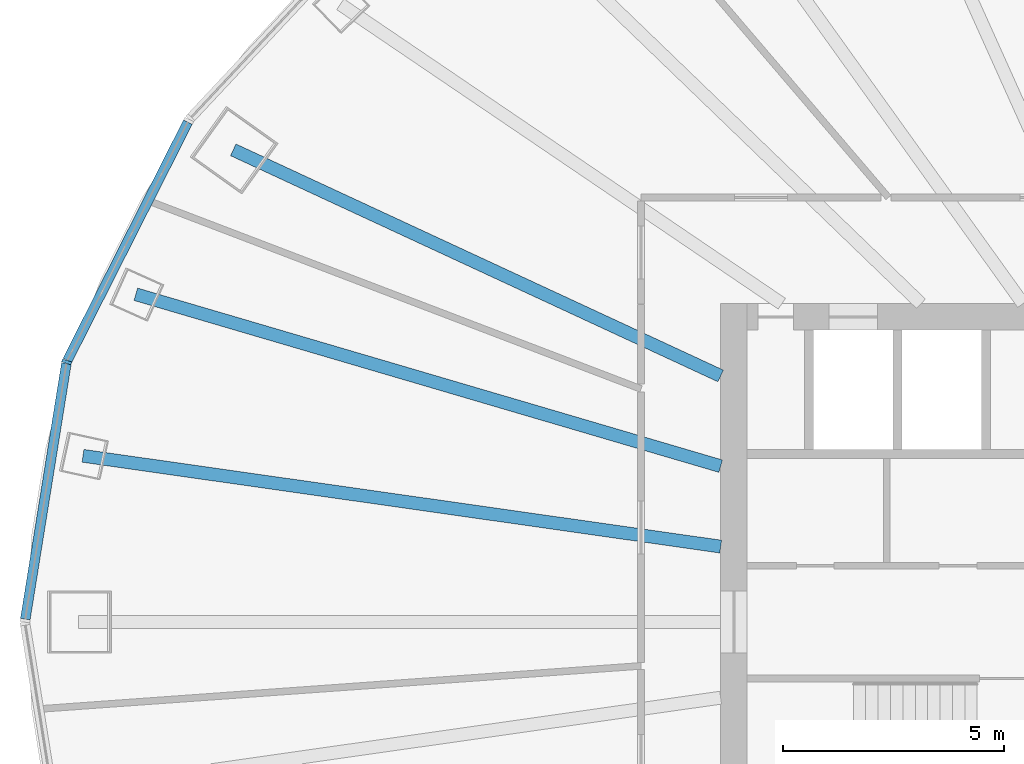
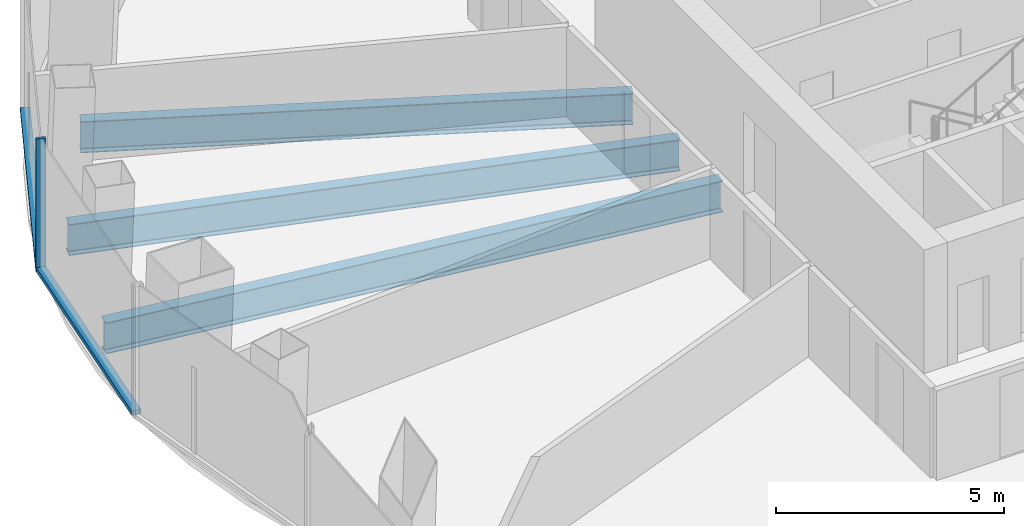
# One storey, part 3 of 11: 3 beams, 3 members, 1 element without a shape of its own.
"""IFC4 building model written with IfcOpenShell, lengths in metres."""

import ifcopenshell
import ifcopenshell.guid

model = None  # the IFC model being written
_history = None  # IfcOwnerHistory: only IFC2X3 demands one
_inside = {}  # id of a spatial element -> (the spatial element, [elements in it])
_under = {}  # id of a project, library or spatial element -> (it, [spatial elements below it])
_declared = {}  # id of a project -> (the project, [libraries it declares])
_typed = {}  # id of a type object -> (the type object, [elements of that type])
_made_of = {}  # id of a material, layer set ... -> (it, [elements and type objects made of it])


def new_model(schema):
    """Start an empty IFC model of exactly this schema.

    Asked for "IFC4X3", IfcOpenShell would pick the latest addendum, in which some entities
    have other attributes; the version numbers below select the first issue.
    IFC2X3 requires an IfcOwnerHistory on every rooted entity: one is made here for all.
    """
    global model, _history
    if schema == "IFC4X3":
        model = ifcopenshell.file(schema_version=(4, 3, 0, 0))
    else:
        model = ifcopenshell.file(schema=schema)
    _inside.clear()
    _under.clear()
    _declared.clear()
    _typed.clear()
    _made_of.clear()
    _history = None
    if model.schema == "IFC2X3":
        org = make("IfcOrganization", Name="unknown")
        user = make(
            "IfcPersonAndOrganization",
            ThePerson=make("IfcPerson", FamilyName="unknown"),
            TheOrganization=org,
        )
        app = make(
            "IfcApplication",
            ApplicationDeveloper=org,
            Version="unknown",
            ApplicationFullName="unknown",
            ApplicationIdentifier="unknown",
        )
        _history = make(
            "IfcOwnerHistory",
            OwningUser=user,
            OwningApplication=app,
            ChangeAction="ADDED",
            CreationDate=0,
        )
    return model


def make(cls, **values):
    """One entity of the class cls with the attributes given. An attribute that is None is left unset."""
    return model.create_entity(
        cls, **{name: value for name, value in values.items() if value is not None}
    )


def rooted(cls, **values):
    """An entity with a GlobalId (a new one), such as an element, a storey or a relation."""
    return make(cls, GlobalId=ifcopenshell.guid.new(), OwnerHistory=_history, **values)


def si_unit(unit_type, name, prefix=None):
    """IfcSIUnit, for example si_unit("LENGTHUNIT", "METRE", prefix="MILLI")."""
    return make("IfcSIUnit", UnitType=unit_type, Prefix=prefix, Name=name)


def assignment(units):
    """IfcUnitAssignment: the units of a project."""
    return None if units is None else make("IfcUnitAssignment", Units=units)


def point(xyz):
    """IfcCartesianPoint."""
    return None if xyz is None else make("IfcCartesianPoint", Coordinates=xyz)


def direction(xyz):
    """IfcDirection."""
    return None if xyz is None else make("IfcDirection", DirectionRatios=xyz)


def frame(location, z_axis=None, x_axis=None):
    """IfcAxis2Placement3D, a coordinate frame: its origin and axes. An axis left out is left unset."""
    return make(
        "IfcAxis2Placement3D",
        Location=point(location),
        Axis=direction(z_axis),
        RefDirection=direction(x_axis),
    )


def frame_2d(location, x_axis=None):
    """IfcAxis2Placement2D, a coordinate frame in the plane: its origin and x axis."""
    return make(
        "IfcAxis2Placement2D", Location=point(location), RefDirection=direction(x_axis)
    )


def origin():
    """The frame at (0, 0, 0) with its axes left unset."""
    return frame((0.0, 0.0, 0.0))


def origin_2d():
    """The frame at (0, 0) in the plane with its x axis left unset."""
    return frame_2d((0.0, 0.0))


def place(relative_to, where):
    """IfcLocalPlacement: puts the frame where relative to a parent placement (None: the world)."""
    return make(
        "IfcLocalPlacement", PlacementRelTo=relative_to, RelativePlacement=where
    )


def context(
    kind, dimensions, precision=None, world=None, true_north=None, identifier=None
):
    """IfcGeometricRepresentationContext, for example the 3D "Model" context."""
    return make(
        "IfcGeometricRepresentationContext",
        ContextIdentifier=identifier,
        ContextType=kind,
        CoordinateSpaceDimension=dimensions,
        Precision=precision,
        WorldCoordinateSystem=world,
        TrueNorth=true_north,
    )


def subcontext(parent, identifier, kind, view, scale=None):
    """IfcGeometricRepresentationSubContext, for example "Body" below "Model"."""
    return make(
        "IfcGeometricRepresentationSubContext",
        ContextIdentifier=identifier,
        ContextType=kind,
        ParentContext=parent,
        TargetScale=scale,
        TargetView=view,
    )


def project(units=None, contexts=None):
    """IfcProject with its units and contexts."""
    return rooted(
        "IfcProject",
        Name="project",
        RepresentationContexts=contexts,
        UnitsInContext=assignment(units),
    )


def spatial(cls, under=None, at=None, **own):
    """A site, building, storey or space (cls), placed at a placement, below another one or the project."""
    s = rooted(cls, ObjectPlacement=at, **own)
    if under is not None:
        _under.setdefault(under.id(), (under, []))[1].append(s)
    return s


def profile(cls, at=None, kind="AREA", **sizes):
    """A parametric profile (cls). Its sizes go by their IFC names, for example OverallWidth=200.0."""
    return make(cls, ProfileType=kind, Position=at, **sizes)


def rectangle(**sizes):
    """IfcRectangleProfileDef."""
    return profile("IfcRectangleProfileDef", **sizes)


def i_section(**sizes):
    """IfcIShapeProfileDef."""
    return profile("IfcIShapeProfileDef", **sizes)


def extrude(swept, where, along, depth):
    """IfcExtrudedAreaSolid: the profile swept, set in the frame where, extruded along a direction by depth."""
    return make(
        "IfcExtrudedAreaSolid",
        SweptArea=swept,
        Position=where,
        ExtrudedDirection=direction(along),
        Depth=depth,
    )


def shape(context_of_items, identifier, shape_type, items):
    """IfcShapeRepresentation: the items that make up one representation, for example the "Body"."""
    return make(
        "IfcShapeRepresentation",
        ContextOfItems=context_of_items,
        RepresentationIdentifier=identifier,
        RepresentationType=shape_type,
        Items=items,
    )


def material(Name=None, Category=None):
    """IfcMaterial."""
    return make("IfcMaterial", Name=Name, Category=Category)


def layer(
    of_material, thickness, ventilated=None, Name=None, Category=None, Priority=None
):
    """IfcMaterialLayer: one layer of a wall or slab, of a material (None: an air gap)."""
    return make(
        "IfcMaterialLayer",
        Material=of_material,
        LayerThickness=thickness,
        IsVentilated=ventilated,
        Name=Name,
        Category=Category,
        Priority=Priority,
    )


def layer_set(layers, Name=None):
    """IfcMaterialLayerSet."""
    return make("IfcMaterialLayerSet", MaterialLayers=layers, LayerSetName=Name)


def material_profile(
    of_material, cross_section, Name=None, Category=None, Priority=None
):
    """IfcMaterialProfile: a cross section and its material."""
    return make(
        "IfcMaterialProfile",
        Name=Name,
        Material=of_material,
        Profile=cross_section,
        Priority=Priority,
        Category=Category,
    )


def profile_set(profiles, Name=None, composite=None):
    """IfcMaterialProfileSet."""
    return make(
        "IfcMaterialProfileSet",
        Name=Name,
        MaterialProfiles=profiles,
        CompositeProfile=composite,
    )


def made_of(thing, what):
    """Note that an element or type object is made of a material, layer set ...; save() writes the relation."""
    if what is not None:
        _made_of.setdefault(what.id(), (what, []))[1].append(thing)
    return thing


def type_object(cls, material=None, **own):
    """A type object (cls), such as IfcWallType, which elements share."""
    return made_of(rooted(cls, **own), material)


def element(
    cls,
    number,
    at=None,
    inside=None,
    cuts=None,
    type_object=None,
    material=None,
    context=None,
    identifier="Body",
    shape_type=None,
    held_by="IfcProductDefinitionShape",
    body=None,
    shapes=None,
    **own,
):
    """One element of the class cls, such as IfcWall. Its Tag is "e" and its number.

    at: its placement. inside: the storey or other place that contains it. cuts: it is an
    opening in that element (IfcRelVoidsElement). A single representation is given by context,
    identifier, shape_type and body (its items); several are given by shapes. held_by: the class
    of the entity that holds the representations. save() writes the other relations.
    """
    e = rooted(cls, Tag="e%d" % number, ObjectPlacement=at, **own)
    if body is not None:
        shapes = [shape(context, identifier, shape_type, body)]
    if shapes is not None:
        e.Representation = make(held_by, Representations=shapes)
    if inside is not None:
        _inside.setdefault(inside.id(), (inside, []))[1].append(e)
    if cuts is not None:
        rooted(
            "IfcRelVoidsElement", RelatingBuildingElement=cuts, RelatedOpeningElement=e
        )
    if type_object is not None:
        _typed.setdefault(type_object.id(), (type_object, []))[1].append(e)
    return made_of(e, material)


def aggregate(whole, parts):
    """IfcRelAggregates: a whole, such as a stair, and the parts it consists of."""
    return rooted("IfcRelAggregates", RelatingObject=whole, RelatedObjects=parts)


def save(model, path):
    """Write the relations noted so far, then the file.

    IfcRelAggregates (storeys below a building ...), IfcRelContainedInSpatialStructure (elements
    in a storey), IfcRelDefinesByType, IfcRelAssociatesMaterial and IfcRelDeclares: one each for
    every whole, place, type object, material and project.
    """
    for whole, parts in _under.values():
        aggregate(whole, parts)
    for where, things in _inside.values():
        rooted(
            "IfcRelContainedInSpatialStructure",
            RelatedElements=things,
            RelatingStructure=where,
        )
    for kind, things in _typed.values():
        rooted("IfcRelDefinesByType", RelatedObjects=things, RelatingType=kind)
    for what, things in _made_of.values():
        rooted("IfcRelAssociatesMaterial", RelatedObjects=things, RelatingMaterial=what)
    for by, libraries in _declared.values():
        rooted("IfcRelDeclares", RelatingContext=by, RelatedDefinitions=libraries)
    model.write(path)


model = new_model("IFC4")

# Units and contexts
model_context = context("Model", 3, precision=1e-05, world=origin(), true_north=direction((0.0, 1.0)))
body_context = subcontext(model_context, "Body", "Model", "MODEL_VIEW")
ifc_project = project(units=[si_unit("LENGTHUNIT", "METRE"), si_unit("AREAUNIT", "SQUARE_METRE"), si_unit("VOLUMEUNIT", "CUBIC_METRE"), si_unit("PLANEANGLEUNIT", "RADIAN"), si_unit("MASSUNIT", "GRAM", prefix="KILO")], contexts=[model_context])

# Site, building, storey
site_placement = place(None, origin())
site = spatial("IfcSite", under=ifc_project, at=site_placement, CompositionType="ELEMENT")
building_placement = place(site_placement, origin())
building = spatial("IfcBuilding", under=site, at=building_placement, Name="Siaravel Broadcast Tower", CompositionType="ELEMENT")
storey_placement = place(building_placement, frame((0.0, 0.0, 55.60009765625)))
storey = spatial("IfcBuildingStorey", under=building, at=storey_placement, Name="L12", CompositionType="ELEMENT", Elevation=55.60009765625)

# Beams
ifc_material_1 = material(Name="Steel S355", Category="steel")
ifc_material_profile_1 = material_profile(ifc_material_1, i_section(OverallWidth=0.291748046875, OverallDepth=0.8349609375, WebThickness=0.013916015625, FlangeThickness=0.018798828125, FilletRadius=0.017822265625, at=origin_2d()))
ifc_profile_set_1 = profile_set([ifc_material_profile_1], Name="Steel S355")
beam_type = type_object("IfcBeamType", Name="BM-UB 838x292x176", PredefinedType="BEAM", material=ifc_profile_set_1)
beam_1_placement = place(storey_placement, frame((-23.018798828125, 10.677490234375, -0.5673828125), z_axis=(0.907159436, -0.420787069, 0.0), x_axis=(0.420787069, 0.907159436, 0.0)))
element("IfcBeam", 1, at=beam_1_placement, inside=storey, type_object=beam_type, Name="Radial beam RB16", PredefinedType="BEAM", context=body_context, shape_type="SweptSolid", body=[
    extrude(i_section(OverallWidth=0.291748046875, OverallDepth=0.8349609375, WebThickness=0.013916015625, FlangeThickness=0.018798828125, FilletRadius=0.017822265625, at=origin_2d()), origin(), (0.0, 0.0, 1.0), 12.146484375),
])
beam_2_placement = place(storey_placement, frame((-25.22119140625, 7.412353515625, -0.5673828125), z_axis=(0.959421341, -0.281976402, 0.0), x_axis=(0.281976402, 0.959421341, 0.0)))
element("IfcBeam", 2, at=beam_2_placement, inside=storey, type_object=beam_type, Name="Radial beam RB17", PredefinedType="BEAM", context=body_context, shape_type="SweptSolid", body=[
    extrude(i_section(OverallWidth=0.291748046875, OverallDepth=0.8349609375, WebThickness=0.013916015625, FlangeThickness=0.018798828125, FilletRadius=0.017822265625, at=origin_2d()), origin(), (0.0, 0.0, 1.0), 13.7802734375),
])
beam_3_placement = place(storey_placement, frame((-26.416259765625, 3.760009765625, -0.5673828125), z_axis=(0.990021125, -0.140919026, 0.0), x_axis=(0.140919026, 0.990021125, 0.0)))
element("IfcBeam", 3, at=beam_3_placement, inside=storey, type_object=beam_type, Name="Radial beam RB18", PredefinedType="BEAM", context=body_context, shape_type="SweptSolid", body=[
    extrude(i_section(OverallWidth=0.291748046875, OverallDepth=0.8349609375, WebThickness=0.013916015625, FlangeThickness=0.018798828125, FilletRadius=0.017822265625, at=origin_2d()), origin(), (0.0, 0.0, 1.0), 14.5615234375),
])

# Curtain wall, members
ifc_material_2 = material(Name="Aluminium 6063-T6", Category="aluminium")
ifc_layer = layer(ifc_material_2, 0.219970703125)
ifc_layer_set = layer_set([ifc_layer], Name="Aluminium 6063-T6")
curtain_wall_type = type_object("IfcCurtainWallType", Name="Unitised curtain wall, zone 1", PredefinedType="NOTDEFINED", material=ifc_layer_set)
curtain_wall_placement = place(storey_placement, origin())
curtain_wall = element("IfcCurtainWall", 4, at=curtain_wall_placement, inside=storey, type_object=curtain_wall_type, Name="L12 Unitised curtain wall, zone 1 06", PredefinedType="NOTDEFINED")
ifc_material_profile_2 = material_profile(ifc_material_2, rectangle(XDim=0.219970703125, YDim=0.070068359375, at=origin_2d()))
ifc_profile_set_2 = profile_set([ifc_material_profile_2], Name="Aluminium 6063-T6")
member_type_1 = type_object("IfcMemberType", Name="CW-Z1 mullion", PredefinedType="MULLION", material=ifc_profile_set_2)
member_1_placement = place(storey_placement, frame((-26.7861328125, 5.88427734375, 0.0), z_axis=(0.0, 0.0, 1.0), x_axis=(0.951177111, -0.308645596, 0.0)))
member_1 = element("IfcMember", 5, at=member_1_placement, type_object=member_type_1, Name="CW-Z1 mullion 2", PredefinedType="MULLION", context=body_context, shape_type="SweptSolid", body=[
    extrude(rectangle(XDim=0.219970703125, YDim=0.070068359375, at=origin_2d()), origin(), (0.0, 0.0, 1.0), 3.5498046875),
])
ifc_material_profile_3 = material_profile(ifc_material_2, rectangle(XDim=0.219970703125, YDim=0.1201171875, at=origin_2d()))
ifc_profile_set_3 = profile_set([ifc_material_profile_3], Name="Aluminium 6063-T6")
member_type_2 = type_object("IfcMemberType", Name="CW-Z1 transom", PredefinedType="USERDEFINED", material=ifc_profile_set_3)
member_2_placement = place(storey_placement, frame((-24.045654296875, 11.3037109375, 0.059814453125), z_axis=(-0.451268424, -0.892388262, 0.0), x_axis=(0.892388262, -0.451268424, 0.0)))
member_2 = element("IfcMember", 6, at=member_2_placement, type_object=member_type_2, Name="CW-Z1 transom 1", ObjectType="TRANSOM", PredefinedType="USERDEFINED", context=body_context, shape_type="SweptSolid", body=[
    extrude(rectangle(XDim=0.219970703125, YDim=0.1201171875, at=origin_2d()), origin(), (0.0, 0.0, 1.0), 6.038330078125),
])
member_3_placement = place(storey_placement, frame((-26.791748046875, 5.849609375, 0.059814453125), z_axis=(-0.158668659, -0.987331888, 0.0), x_axis=(0.987331888, -0.158668659, 0.0)))
member_3 = element("IfcMember", 7, at=member_3_placement, type_object=member_type_2, Name="CW-Z1 transom 2", ObjectType="TRANSOM", PredefinedType="USERDEFINED", context=body_context, shape_type="SweptSolid", body=[
    extrude(rectangle(XDim=0.219970703125, YDim=0.1201171875, at=origin_2d()), origin(), (0.0, 0.0, 1.0), 5.854736328125),
])
aggregate(curtain_wall, [member_1, member_2, member_3])

save(model, "model.ifc")
